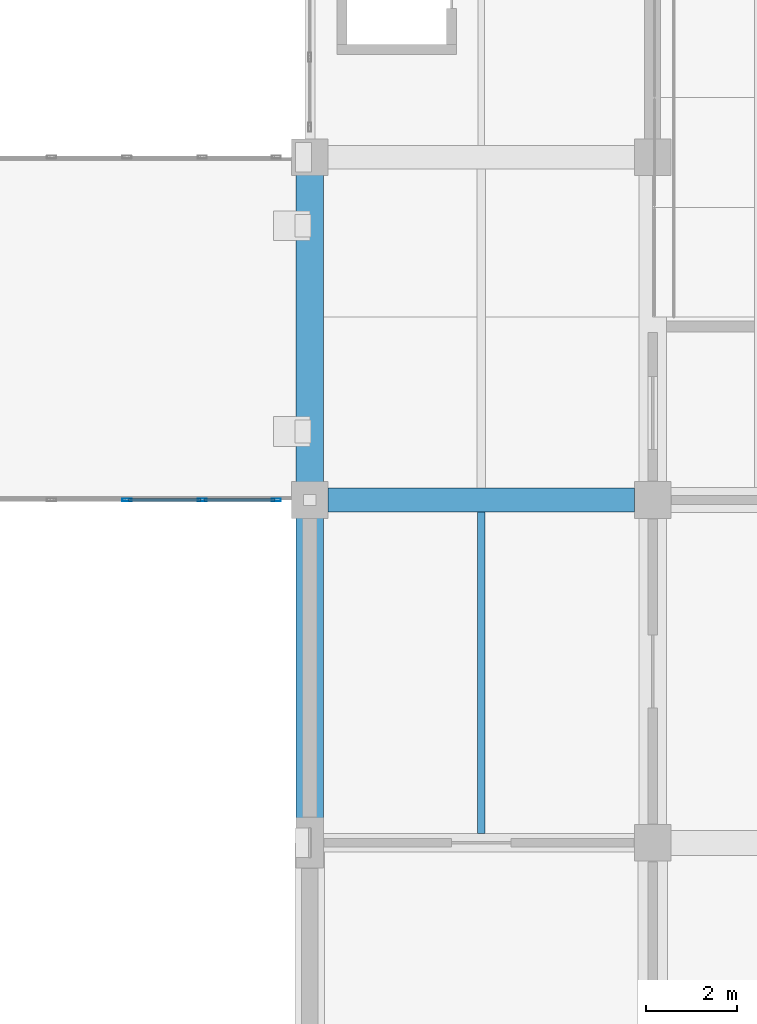
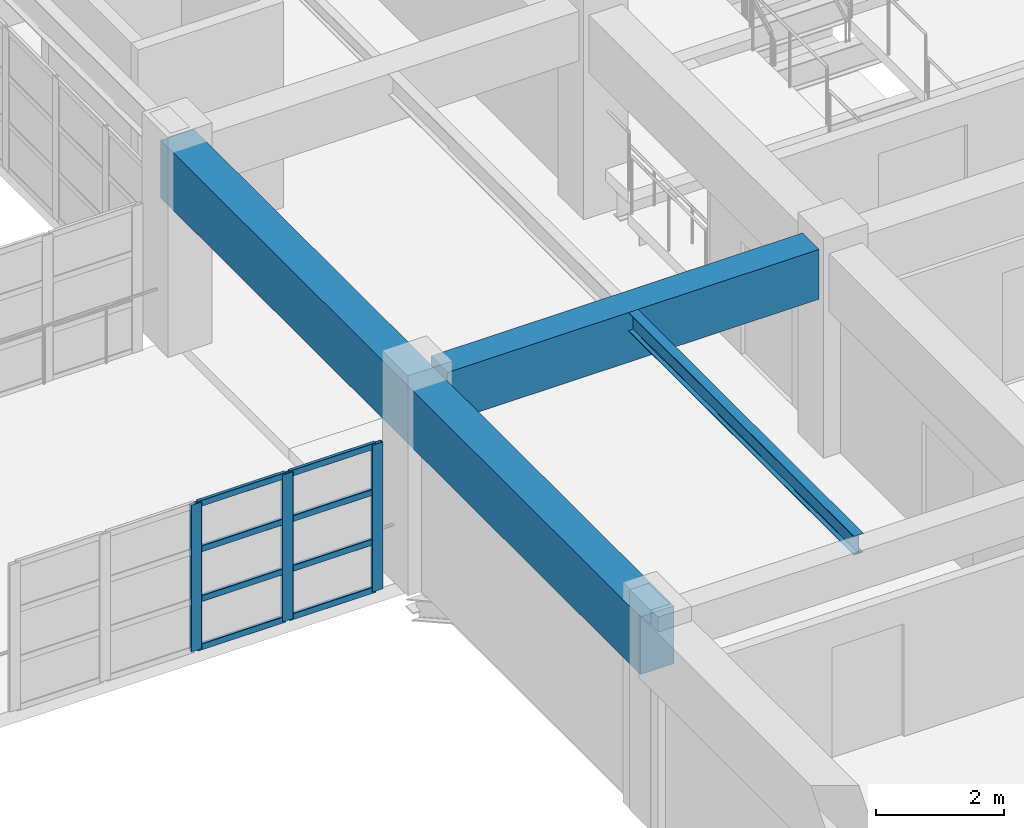
# One storey, part 13 of 124: 11 members, 3 beams, 1 element without a shape of its own.
"""IFC4 building model written with IfcOpenShell, lengths in metres."""

from ifc_helpers import new_model, si_unit, direction, frame, origin, origin_2d, place, context, subcontext, project, spatial, rectangle, hollow_rectangle, i_section, extrude, material, material_profile, profile_set, type_object, element, aggregate, save


model = new_model("IFC4")

# Units and contexts
model_context = context("Model", 3, precision=1e-05, world=origin(), true_north=direction((0.0, 1.0)))
body_context = subcontext(model_context, "Body", "Model", "MODEL_VIEW")
ifc_project = project(units=[si_unit("LENGTHUNIT", "METRE"), si_unit("AREAUNIT", "SQUARE_METRE"), si_unit("VOLUMEUNIT", "CUBIC_METRE"), si_unit("PLANEANGLEUNIT", "RADIAN"), si_unit("MASSUNIT", "GRAM", prefix="KILO")], contexts=[model_context])

# Site, building, storey
site_placement = place(None, origin())
site = spatial("IfcSite", under=ifc_project, at=site_placement, CompositionType="ELEMENT")
building_placement = place(site_placement, origin())
building = spatial("IfcBuilding", under=site, at=building_placement, Name="Qasida Concert Hall", CompositionType="ELEMENT")
storey_placement = place(building_placement, frame((0.0, 0.0, 9.0)))
storey = spatial("IfcBuildingStorey", under=building, at=storey_placement, Name="L02", CompositionType="ELEMENT", Elevation=9.0)

# Beams
ifc_material_1 = material(Name="Concrete C50/60", Category="concrete")
ifc_material_profile_1 = material_profile(ifc_material_1, rectangle(XDim=0.60009765625, YDim=1.10009765625, at=origin_2d()), Name="RC 600x1100")
ifc_profile_set_1 = profile_set([ifc_material_profile_1], Name="Concrete C50/60")
beam_type_1 = type_object("IfcBeamType", Name="BM-G4", PredefinedType="USERDEFINED", material=ifc_profile_set_1)
beam_1_placement = place(storey_placement, frame((52.5, 22.5, 3.320068359375), z_axis=(0.0, 1.0, 0.0), x_axis=(-1.0, 0.0, 0.0)))
element("IfcBeam", 1, at=beam_1_placement, inside=storey, type_object=beam_type_1, Name="Cantilever backspan girder CGB-008", ObjectType="GIRDER", PredefinedType="USERDEFINED", context=body_context, shape_type="SweptSolid", body=[
    extrude(rectangle(XDim=0.60009765625, YDim=1.10009765625, at=origin_2d()), origin(), (0.0, 0.0, 1.0), 15.0),
])
ifc_material_2 = material(Name="Concrete C40/50", Category="concrete")
ifc_material_profile_2 = material_profile(ifc_material_2, rectangle(XDim=0.52001953125, YDim=0.949951171875, at=origin_2d()), Name="RC 520x950")
ifc_profile_set_2 = profile_set([ifc_material_profile_2], Name="Concrete C40/50")
beam_type_2 = type_object("IfcBeamType", Name="BM-G7", PredefinedType="USERDEFINED", material=ifc_profile_set_2)
beam_2_placement = place(storey_placement, frame((52.89990234375, 30.0, 3.425048828125), z_axis=(1.0, 0.0, 0.0), x_axis=(0.0, 1.0, 0.0)))
element("IfcBeam", 2, at=beam_2_placement, inside=storey, type_object=beam_type_2, Name="Primary girder 1142", ObjectType="GIRDER", PredefinedType="USERDEFINED", context=body_context, shape_type="SweptSolid", body=[
    extrude(rectangle(XDim=0.52001953125, YDim=0.949951171875, at=origin_2d()), origin(), (0.0, 0.0, 1.0), 6.7001953125),
])
ifc_material_3 = material(Name="Steel S355J2", Category="steel")
ifc_material_profile_3 = material_profile(ifc_material_3, i_section(OverallWidth=0.169921875, OverallDepth=0.360107421875, WebThickness=0.008056640625, FlangeThickness=0.0126953125, FilletRadius=0.01806640625, at=origin_2d()), Name="IPE 360")
ifc_profile_set_3 = profile_set([ifc_material_profile_3], Name="Steel S355J2")
beam_type_3 = type_object("IfcBeamType", Name="BM-J2", PredefinedType="JOIST", material=ifc_profile_set_3)
beam_3_placement = place(storey_placement, frame((56.25, 22.699951171875, 3.719970703125), z_axis=(0.0, 1.0, 0.0), x_axis=(-1.0, 0.0, 0.0)))
element("IfcBeam", 3, at=beam_3_placement, inside=storey, type_object=beam_type_3, Name="L02 secondary joist 1201", PredefinedType="JOIST", context=body_context, shape_type="SweptSolid", body=[
    extrude(i_section(OverallWidth=0.169921875, OverallDepth=0.360107421875, WebThickness=0.008056640625, FlangeThickness=0.0126953125, FilletRadius=0.01806640625, at=origin_2d()), origin(), (0.0, 0.0, 1.0), 7.0400390625),
])

# Curtain wall, members
ifc_material_4 = material(Name="Architectural bronze-anodized aluminium and low-E glass", Category="aluminium")
curtain_wall_type = type_object("IfcCurtainWallType", Name="CW-08", PredefinedType="NOTDEFINED", material=ifc_material_4)
curtain_wall_placement = place(storey_placement, origin())
curtain_wall = element("IfcCurtainWall", 4, at=curtain_wall_placement, inside=storey, type_object=curtain_wall_type, Name="L02 link bridge glazing 0204", PredefinedType="NOTDEFINED")
ifc_material_5 = material(Name="Architectural bronze-anodized aluminium EN AW-6063", Category="aluminium")
ifc_material_profile_4 = material_profile(ifc_material_5, hollow_rectangle(XDim=0.06494140625, YDim=0.199951171875, WallThickness=0.0048828125, InnerFilletRadius=0.0048828125, OuterFilletRadius=0.010009765625, at=origin_2d()), Name="CWM 200x65x5")
ifc_profile_set_4 = profile_set([ifc_material_profile_4], Name="Architectural bronze-anodized aluminium EN AW-6063")
member_type_1 = type_object("IfcMemberType", Name="MB-CWM-2", PredefinedType="MULLION", material=ifc_profile_set_4)
member_1_placement = place(storey_placement, frame((48.5, 30.0, 0.0), z_axis=(0.0, 0.0, 1.0), x_axis=(0.0, 1.0, 0.0)))
member_1 = element("IfcMember", 5, at=member_1_placement, type_object=member_type_1, Name="CW-08 mullion 3", PredefinedType="MULLION", context=body_context, shape_type="SweptSolid", body=[
    extrude(hollow_rectangle(XDim=0.06494140625, YDim=0.199951171875, WallThickness=0.0048828125, InnerFilletRadius=0.0048828125, OuterFilletRadius=0.010009765625, at=origin_2d()), origin(), (0.0, 0.0, 1.0), 2.800048828125),
])
member_2_placement = place(storey_placement, frame((50.14990234375, 30.0, 0.0), z_axis=(0.0, 0.0, 1.0), x_axis=(0.0, 1.0, 0.0)))
member_2 = element("IfcMember", 6, at=member_2_placement, type_object=member_type_1, Name="CW-08 mullion 4", PredefinedType="MULLION", context=body_context, shape_type="SweptSolid", body=[
    extrude(hollow_rectangle(XDim=0.06494140625, YDim=0.199951171875, WallThickness=0.0048828125, InnerFilletRadius=0.0048828125, OuterFilletRadius=0.010009765625, at=origin_2d()), origin(), (0.0, 0.0, 1.0), 2.800048828125),
])
member_3_placement = place(storey_placement, frame((51.767578125, 30.0, 0.0), z_axis=(0.0, 0.0, 1.0), x_axis=(0.0, 1.0, 0.0)))
member_3 = element("IfcMember", 7, at=member_3_placement, type_object=member_type_1, Name="CW-08 mullion 5", PredefinedType="MULLION", context=body_context, shape_type="SweptSolid", body=[
    extrude(hollow_rectangle(XDim=0.06494140625, YDim=0.199951171875, WallThickness=0.0048828125, InnerFilletRadius=0.0048828125, OuterFilletRadius=0.010009765625, at=origin_2d()), origin(), (0.0, 0.0, 1.0), 2.800048828125),
])
ifc_material_profile_5 = material_profile(ifc_material_5, hollow_rectangle(XDim=0.06005859375, YDim=0.1201171875, WallThickness=0.00390625, InnerFilletRadius=0.00390625, OuterFilletRadius=0.008056640625, at=origin_2d()), Name="CWT 120x60x4")
ifc_profile_set_5 = profile_set([ifc_material_profile_5], Name="Architectural bronze-anodized aluminium EN AW-6063")
member_type_2 = type_object("IfcMemberType", Name="MB-CWT-2", PredefinedType="USERDEFINED", material=ifc_profile_set_5)
member_4_placement = place(storey_placement, frame((48.532470703125, 30.0, 0.030029296875), z_axis=(1.0, 0.0, 0.0), x_axis=(0.0, 1.0, 0.0)))
member_4 = element("IfcMember", 8, at=member_4_placement, type_object=member_type_2, Name="CW-08 transom 3.1", ObjectType="TRANSOM", PredefinedType="USERDEFINED", context=body_context, shape_type="SweptSolid", body=[
    extrude(hollow_rectangle(XDim=0.06005859375, YDim=0.1201171875, WallThickness=0.00390625, InnerFilletRadius=0.00390625, OuterFilletRadius=0.008056640625, at=origin_2d()), origin(), (0.0, 0.0, 1.0), 1.5849609375),
])
member_5_placement = place(storey_placement, frame((48.532470703125, 30.0, 0.949951171875), z_axis=(1.0, 0.0, 0.0), x_axis=(0.0, 1.0, 0.0)))
member_5 = element("IfcMember", 9, at=member_5_placement, type_object=member_type_2, Name="CW-08 transom 3.2", ObjectType="TRANSOM", PredefinedType="USERDEFINED", context=body_context, shape_type="SweptSolid", body=[
    extrude(hollow_rectangle(XDim=0.06005859375, YDim=0.1201171875, WallThickness=0.00390625, InnerFilletRadius=0.00390625, OuterFilletRadius=0.008056640625, at=origin_2d()), origin(), (0.0, 0.0, 1.0), 1.5849609375),
])
member_6_placement = place(storey_placement, frame((48.532470703125, 30.0, 1.89990234375), z_axis=(1.0, 0.0, 0.0), x_axis=(0.0, 1.0, 0.0)))
member_6 = element("IfcMember", 10, at=member_6_placement, type_object=member_type_2, Name="CW-08 transom 3.3", ObjectType="TRANSOM", PredefinedType="USERDEFINED", context=body_context, shape_type="SweptSolid", body=[
    extrude(hollow_rectangle(XDim=0.06005859375, YDim=0.1201171875, WallThickness=0.00390625, InnerFilletRadius=0.00390625, OuterFilletRadius=0.008056640625, at=origin_2d()), origin(), (0.0, 0.0, 1.0), 1.5849609375),
])
member_7_placement = place(storey_placement, frame((48.532470703125, 30.0, 2.77001953125), z_axis=(1.0, 0.0, 0.0), x_axis=(0.0, 1.0, 0.0)))
member_7 = element("IfcMember", 11, at=member_7_placement, type_object=member_type_2, Name="CW-08 transom 3.4", ObjectType="TRANSOM", PredefinedType="USERDEFINED", context=body_context, shape_type="SweptSolid", body=[
    extrude(hollow_rectangle(XDim=0.06005859375, YDim=0.1201171875, WallThickness=0.00390625, InnerFilletRadius=0.00390625, OuterFilletRadius=0.008056640625, at=origin_2d()), origin(), (0.0, 0.0, 1.0), 1.5849609375),
])
member_8_placement = place(storey_placement, frame((50.1826171875, 30.0, 0.030029296875), z_axis=(1.0, 0.0, 0.0), x_axis=(0.0, 1.0, 0.0)))
member_8 = element("IfcMember", 12, at=member_8_placement, type_object=member_type_2, Name="CW-08 transom 4.1", ObjectType="TRANSOM", PredefinedType="USERDEFINED", context=body_context, shape_type="SweptSolid", body=[
    extrude(hollow_rectangle(XDim=0.06005859375, YDim=0.1201171875, WallThickness=0.00390625, InnerFilletRadius=0.00390625, OuterFilletRadius=0.008056640625, at=origin_2d()), origin(), (0.0, 0.0, 1.0), 1.552490234375),
])
member_9_placement = place(storey_placement, frame((50.1826171875, 30.0, 0.949951171875), z_axis=(1.0, 0.0, 0.0), x_axis=(0.0, 1.0, 0.0)))
member_9 = element("IfcMember", 13, at=member_9_placement, type_object=member_type_2, Name="CW-08 transom 4.2", ObjectType="TRANSOM", PredefinedType="USERDEFINED", context=body_context, shape_type="SweptSolid", body=[
    extrude(hollow_rectangle(XDim=0.06005859375, YDim=0.1201171875, WallThickness=0.00390625, InnerFilletRadius=0.00390625, OuterFilletRadius=0.008056640625, at=origin_2d()), origin(), (0.0, 0.0, 1.0), 1.552490234375),
])
member_10_placement = place(storey_placement, frame((50.1826171875, 30.0, 1.89990234375), z_axis=(1.0, 0.0, 0.0), x_axis=(0.0, 1.0, 0.0)))
member_10 = element("IfcMember", 14, at=member_10_placement, type_object=member_type_2, Name="CW-08 transom 4.3", ObjectType="TRANSOM", PredefinedType="USERDEFINED", context=body_context, shape_type="SweptSolid", body=[
    extrude(hollow_rectangle(XDim=0.06005859375, YDim=0.1201171875, WallThickness=0.00390625, InnerFilletRadius=0.00390625, OuterFilletRadius=0.008056640625, at=origin_2d()), origin(), (0.0, 0.0, 1.0), 1.552490234375),
])
member_11_placement = place(storey_placement, frame((50.1826171875, 30.0, 2.77001953125), z_axis=(1.0, 0.0, 0.0), x_axis=(0.0, 1.0, 0.0)))
member_11 = element("IfcMember", 15, at=member_11_placement, type_object=member_type_2, Name="CW-08 transom 4.4", ObjectType="TRANSOM", PredefinedType="USERDEFINED", context=body_context, shape_type="SweptSolid", body=[
    extrude(hollow_rectangle(XDim=0.06005859375, YDim=0.1201171875, WallThickness=0.00390625, InnerFilletRadius=0.00390625, OuterFilletRadius=0.008056640625, at=origin_2d()), origin(), (0.0, 0.0, 1.0), 1.552490234375),
])
aggregate(curtain_wall, [member_1, member_2, member_3, member_4, member_5, member_6, member_7, member_8, member_9, member_10, member_11])

save(model, "model.ifc")
